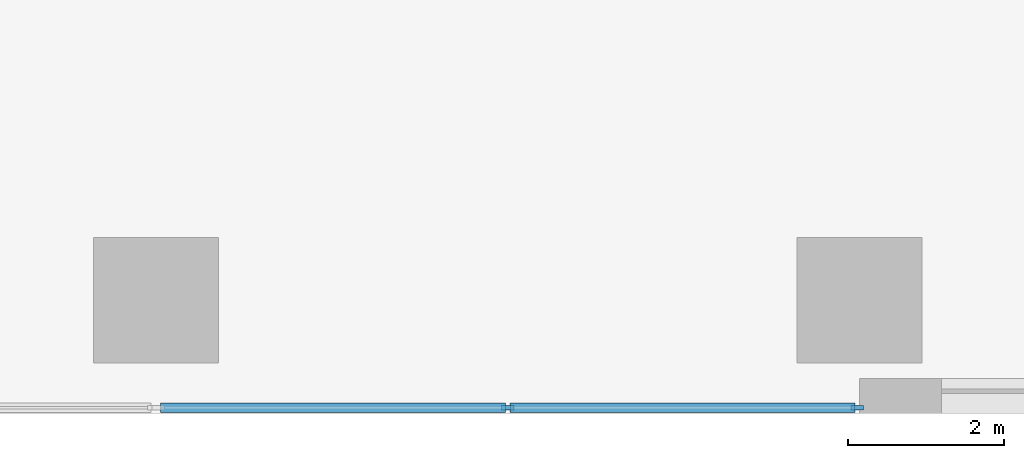
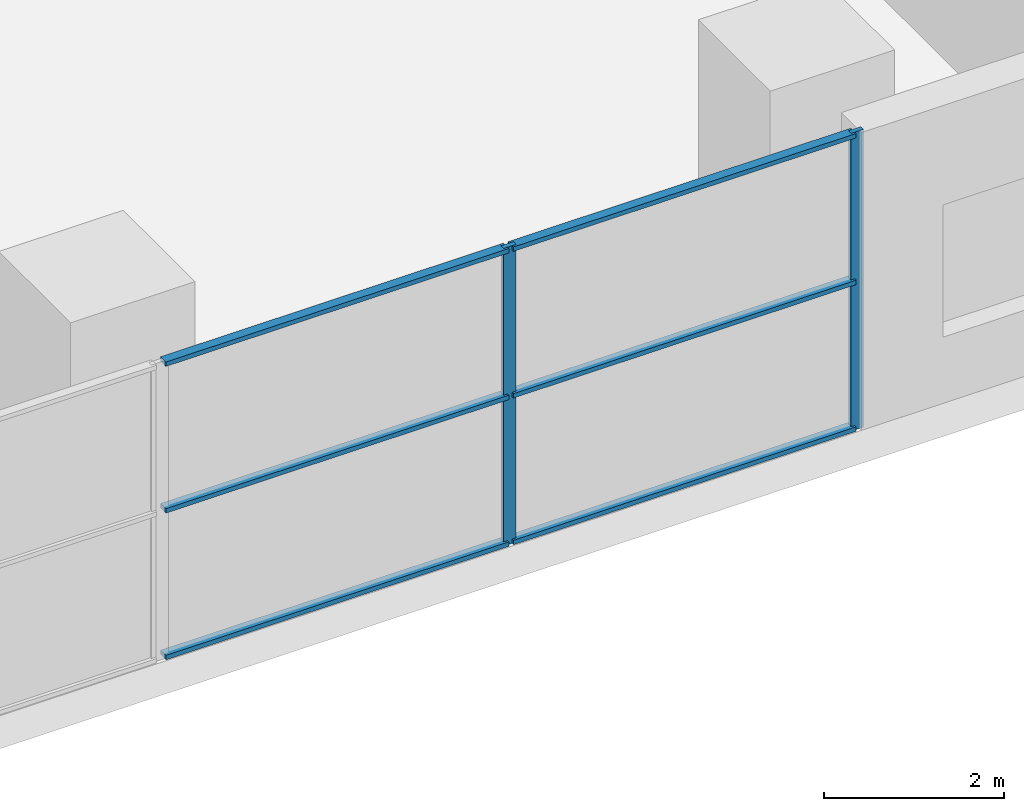
# One storey, part 5 of 19: 8 members, 1 element without a shape of its own.
"""IFC4 building model written with IfcOpenShell, lengths in metres."""

from ifc_helpers import new_model, si_unit, direction, frame, origin, origin_2d, place, context, subcontext, project, spatial, rectangle, extrude, material, material_profile, profile_set, type_object, element, aggregate, save


model = new_model("IFC4")

# Units and contexts
model_context = context("Model", 3, precision=1e-05, world=origin(), true_north=direction((0.0, 1.0)))
body_context = subcontext(model_context, "Body", "Model", "MODEL_VIEW")
ifc_project = project(units=[si_unit("LENGTHUNIT", "METRE"), si_unit("AREAUNIT", "SQUARE_METRE"), si_unit("VOLUMEUNIT", "CUBIC_METRE"), si_unit("PLANEANGLEUNIT", "RADIAN"), si_unit("MASSUNIT", "GRAM", prefix="KILO")], contexts=[model_context])

# Site, building, storey
site_placement = place(None, origin())
site = spatial("IfcSite", under=ifc_project, at=site_placement, CompositionType="ELEMENT")
building_placement = place(site_placement, origin())
building = spatial("IfcBuilding", under=site, at=building_placement, Name="Kajstack Hotel Tower", CompositionType="ELEMENT")
storey_placement = place(building_placement, frame((0.0, 0.0, 33.5)))
storey = spatial("IfcBuildingStorey", under=building, at=storey_placement, Name="L05", CompositionType="ELEMENT", Elevation=33.5)

# Curtain wall, members
ifc_material_1 = material(Name="Aluminium-framed curtain wall, solar-control glass", Category="aluminium")
curtain_wall_type = type_object("IfcCurtainWallType", Name="CW-CLUB", PredefinedType="NOTDEFINED", material=ifc_material_1)
curtain_wall_placement = place(storey_placement, origin())
curtain_wall = element("IfcCurtainWall", 1, at=curtain_wall_placement, inside=storey, type_object=curtain_wall_type, Name="Curtain wall CU4 L05-03-02-3", PredefinedType="NOTDEFINED")
ifc_material_2 = material(Name="Aluminium", Category="aluminium")
ifc_material_profile_1 = material_profile(ifc_material_2, rectangle(XDim=0.06005859375, YDim=0.159912109375, at=origin_2d()), Name="Aluminium mullion 60 x 160")
ifc_profile_set_1 = profile_set([ifc_material_profile_1], Name="Aluminium")
member_type_1 = type_object("IfcMemberType", Name="CW-M-CLUB", PredefinedType="MULLION", material=ifc_profile_set_1)
member_1_placement = place(storey_placement, frame((22.5, -21.925048828125, 0.0), z_axis=(0.0, 0.0, 1.0), x_axis=(0.0, 1.0, 0.0)))
member_1 = element("IfcMember", 2, at=member_1_placement, type_object=member_type_1, Name="CU4 mullion 2", PredefinedType="MULLION", context=body_context, shape_type="SweptSolid", body=[
    extrude(rectangle(XDim=0.06005859375, YDim=0.159912109375, at=origin_2d()), origin(), (0.0, 0.0, 1.0), 4.050048828125),
])
member_2_placement = place(storey_placement, frame((26.969970703125, -21.925048828125, 0.0), z_axis=(0.0, 0.0, 1.0), x_axis=(0.0, 1.0, 0.0)))
member_2 = element("IfcMember", 3, at=member_2_placement, type_object=member_type_1, Name="CU4 mullion 3", PredefinedType="MULLION", context=body_context, shape_type="SweptSolid", body=[
    extrude(rectangle(XDim=0.06005859375, YDim=0.159912109375, at=origin_2d()), origin(), (0.0, 0.0, 1.0), 4.050048828125),
])
ifc_material_profile_2 = material_profile(ifc_material_2, rectangle(XDim=0.1201171875, YDim=0.06005859375, at=origin_2d()), Name="Aluminium transom 120 x 60")
ifc_profile_set_2 = profile_set([ifc_material_profile_2], Name="Aluminium")
member_type_2 = type_object("IfcMemberType", Name="CW-T-CLUB", PredefinedType="USERDEFINED", material=ifc_profile_set_2)
member_3_placement = place(storey_placement, frame((18.06005859375, -21.925048828125, 0.030029296875), z_axis=(1.0, 0.0, 0.0), x_axis=(0.0, 1.0, 0.0)))
member_3 = element("IfcMember", 4, at=member_3_placement, type_object=member_type_2, Name="CU4 transom 1.1", ObjectType="TRANSOM", PredefinedType="USERDEFINED", context=body_context, shape_type="SweptSolid", body=[
    extrude(rectangle(XDim=0.1201171875, YDim=0.06005859375, at=origin_2d()), origin(), (0.0, 0.0, 1.0), 4.409912109375),
])
member_4_placement = place(storey_placement, frame((18.06005859375, -21.925048828125, 2.02490234375), z_axis=(1.0, 0.0, 0.0), x_axis=(0.0, 1.0, 0.0)))
member_4 = element("IfcMember", 5, at=member_4_placement, type_object=member_type_2, Name="CU4 transom 1.2", ObjectType="TRANSOM", PredefinedType="USERDEFINED", context=body_context, shape_type="SweptSolid", body=[
    extrude(rectangle(XDim=0.1201171875, YDim=0.06005859375, at=origin_2d()), origin(), (0.0, 0.0, 1.0), 4.409912109375),
])
member_5_placement = place(storey_placement, frame((18.06005859375, -21.925048828125, 4.02001953125), z_axis=(1.0, 0.0, 0.0), x_axis=(0.0, 1.0, 0.0)))
member_5 = element("IfcMember", 6, at=member_5_placement, type_object=member_type_2, Name="CU4 transom 1.3", ObjectType="TRANSOM", PredefinedType="USERDEFINED", context=body_context, shape_type="SweptSolid", body=[
    extrude(rectangle(XDim=0.1201171875, YDim=0.06005859375, at=origin_2d()), origin(), (0.0, 0.0, 1.0), 4.409912109375),
])
member_6_placement = place(storey_placement, frame((22.530029296875, -21.925048828125, 0.030029296875), z_axis=(1.0, 0.0, 0.0), x_axis=(0.0, 1.0, 0.0)))
member_6 = element("IfcMember", 7, at=member_6_placement, type_object=member_type_2, Name="CU4 transom 2.1", ObjectType="TRANSOM", PredefinedType="USERDEFINED", context=body_context, shape_type="SweptSolid", body=[
    extrude(rectangle(XDim=0.1201171875, YDim=0.06005859375, at=origin_2d()), origin(), (0.0, 0.0, 1.0), 4.409912109375),
])
member_7_placement = place(storey_placement, frame((22.530029296875, -21.925048828125, 2.02490234375), z_axis=(1.0, 0.0, 0.0), x_axis=(0.0, 1.0, 0.0)))
member_7 = element("IfcMember", 8, at=member_7_placement, type_object=member_type_2, Name="CU4 transom 2.2", ObjectType="TRANSOM", PredefinedType="USERDEFINED", context=body_context, shape_type="SweptSolid", body=[
    extrude(rectangle(XDim=0.1201171875, YDim=0.06005859375, at=origin_2d()), origin(), (0.0, 0.0, 1.0), 4.409912109375),
])
member_8_placement = place(storey_placement, frame((22.530029296875, -21.925048828125, 4.02001953125), z_axis=(1.0, 0.0, 0.0), x_axis=(0.0, 1.0, 0.0)))
member_8 = element("IfcMember", 9, at=member_8_placement, type_object=member_type_2, Name="CU4 transom 2.3", ObjectType="TRANSOM", PredefinedType="USERDEFINED", context=body_context, shape_type="SweptSolid", body=[
    extrude(rectangle(XDim=0.1201171875, YDim=0.06005859375, at=origin_2d()), origin(), (0.0, 0.0, 1.0), 4.409912109375),
])
aggregate(curtain_wall, [member_1, member_2, member_3, member_4, member_5, member_6, member_7, member_8])

save(model, "model.ifc")
